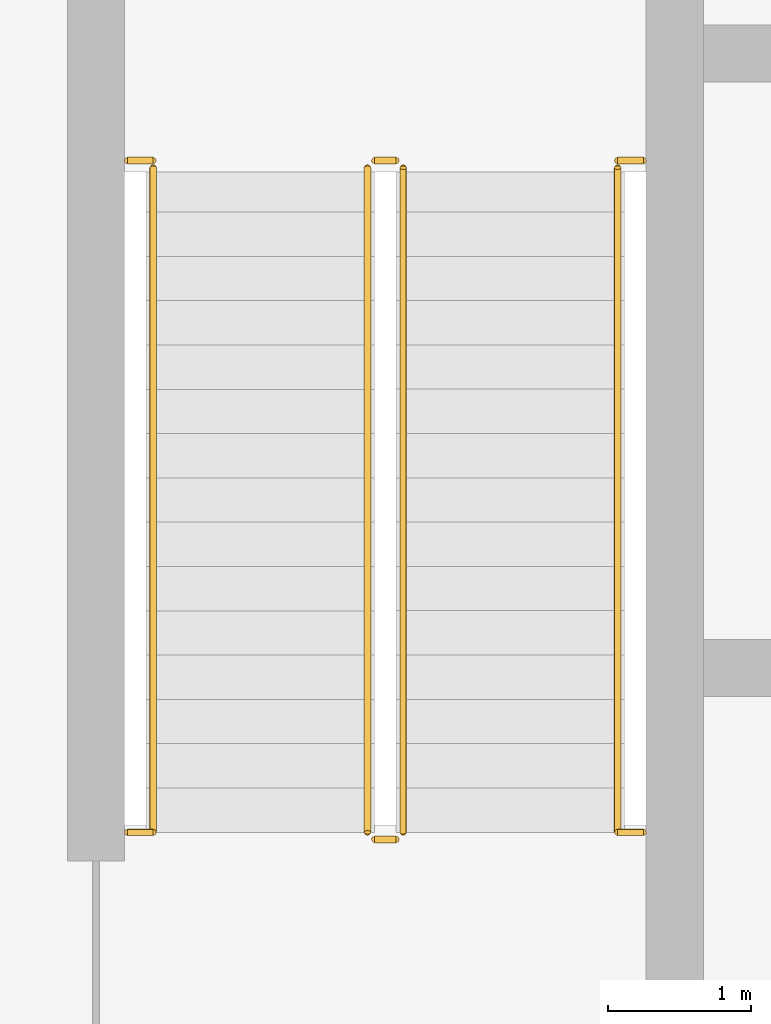
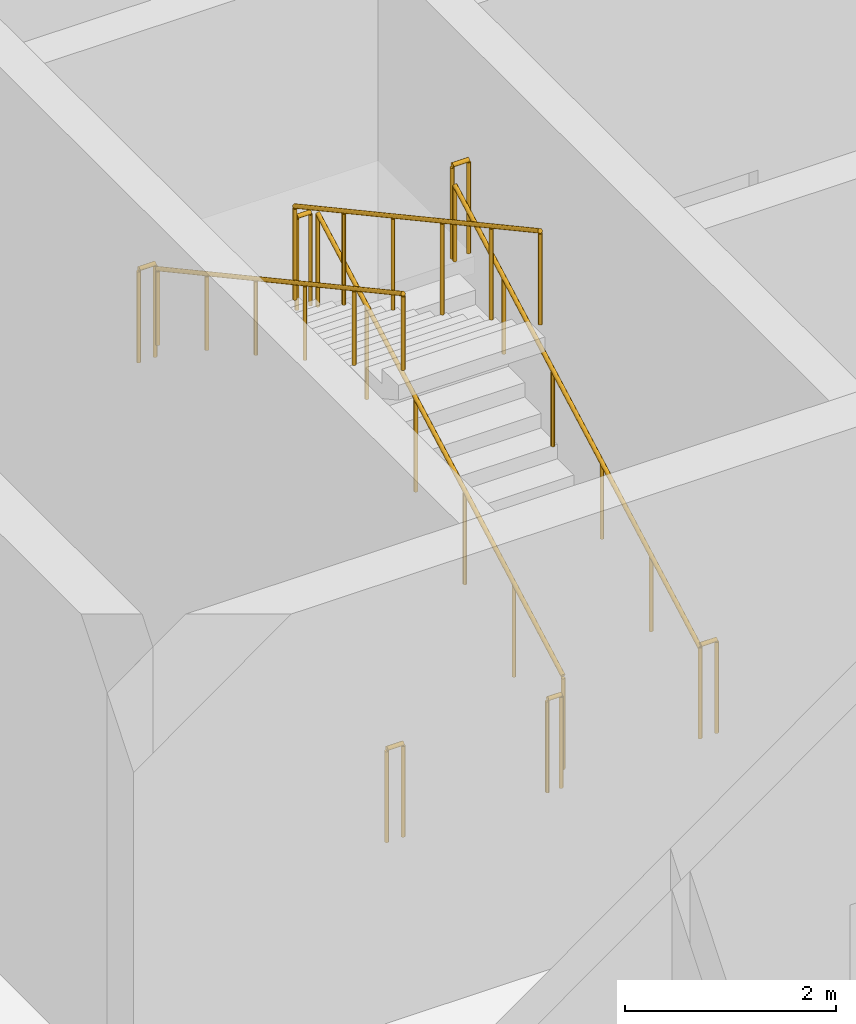
# One storey, part 13 of 15: 10 railings.
"""IFC4 building model written with IfcOpenShell, lengths in metres."""

from ifc_helpers import new_model, si_unit, direction, frame, origin, origin_2d, place, context, subcontext, project, spatial, circle, extrude, material, type_object, element, save


model = new_model("IFC4")

# Units and contexts
model_context = context("Model", 3, precision=1e-05, world=origin(), true_north=direction((0.0, 1.0)))
body_context = subcontext(model_context, "Body", "Model", "MODEL_VIEW")
ifc_project = project(units=[si_unit("LENGTHUNIT", "METRE"), si_unit("AREAUNIT", "SQUARE_METRE"), si_unit("VOLUMEUNIT", "CUBIC_METRE"), si_unit("PLANEANGLEUNIT", "RADIAN"), si_unit("MASSUNIT", "GRAM", prefix="KILO")], contexts=[model_context])

# Site, building, storey
site_placement = place(None, origin())
site = spatial("IfcSite", under=ifc_project, at=site_placement, CompositionType="ELEMENT")
building_placement = place(site_placement, origin())
building = spatial("IfcBuilding", under=site, at=building_placement, Name="Madar Terraces", CompositionType="ELEMENT")
storey_placement = place(building_placement, frame((0.0, 0.0, 286.10009765625)))
storey = spatial("IfcBuildingStorey", under=building, at=storey_placement, Name="L75", CompositionType="ELEMENT", Elevation=286.10009765625)

# Railings
ifc_material_1 = material(Name="Stainless steel railing", Category="steel")
railing_type_1 = type_object("IfcRailingType", Name="Stair guard 1100", PredefinedType="GUARDRAIL", material=ifc_material_1)
railing_1_placement = place(storey_placement, frame((21.199951171875, 17.60009765625, 0.168701171875)))
element("IfcRailing", 1, at=railing_1_placement, inside=storey, type_object=railing_type_1, Name="L75 ST1 stair guard 1", PredefinedType="GUARDRAIL", context=body_context, shape_type="SweptSolid", body=[
    extrude(circle(Radius=0.02392578125, at=origin_2d()), frame((0.0, 0.0, 1.076171875), z_axis=(0.0, 0.878297076953, 0.478115304728), x_axis=(-1.0, 0.0, 0.0)), (0.0, 0.0, 1.0), 5.294189453125),
    extrude(circle(Radius=0.02099609375, at=origin_2d()), origin(), (0.0, 0.0, 1.0), 1.052001953125),
    extrude(circle(Radius=0.02099609375, at=origin_2d()), frame((0.0, 0.929931640625, 0.50634765625)), (0.0, 0.0, 1.0), 1.052001953125),
    extrude(circle(Radius=0.02099609375, at=origin_2d()), frame((0.0, 1.85986328125, 1.012451171875)), (0.0, 0.0, 1.0), 1.052001953125),
    extrude(circle(Radius=0.02099609375, at=origin_2d()), frame((0.0, 2.7900390625, 1.518798828125)), (0.0, 0.0, 1.0), 1.052001953125),
    extrude(circle(Radius=0.02099609375, at=origin_2d()), frame((0.0, 3.719970703125, 2.02490234375)), (0.0, 0.0, 1.0), 1.052001953125),
    extrude(circle(Radius=0.02099609375, at=origin_2d()), frame((0.0, 4.64990234375, 2.53125)), (0.0, 0.0, 1.0), 1.052001953125),
])
railing_2_placement = place(storey_placement, frame((21.14990234375, 22.300048828125, 2.699951171875)))
element("IfcRailing", 2, at=railing_2_placement, inside=storey, type_object=railing_type_1, Name="L75 ST1 stair guard 2", PredefinedType="GUARDRAIL", context=body_context, shape_type="SweptSolid", body=[
    extrude(circle(Radius=0.02392578125, at=origin_2d()), frame((0.0, 0.0, 1.076171875), z_axis=(-1.0, 0.0, 0.0), x_axis=(0.0, -1.0, 0.0)), (0.0, 0.0, 1.0), 0.14990234375),
    extrude(circle(Radius=0.02099609375, at=origin_2d()), origin(), (0.0, 0.0, 1.0), 1.052001953125),
    extrude(circle(Radius=0.02099609375, at=origin_2d()), frame((-0.14990234375, 0.0, 0.0)), (0.0, 0.0, 1.0), 1.052001953125),
])
railing_3_placement = place(storey_placement, frame((20.949951171875, 22.25, 2.86865234375)))
element("IfcRailing", 3, at=railing_3_placement, inside=storey, type_object=railing_type_1, Name="L75 ST1 stair guard 3", PredefinedType="GUARDRAIL", context=body_context, shape_type="SweptSolid", body=[
    extrude(circle(Radius=0.02392578125, at=origin_2d()), frame((0.0, 0.0, 1.076171875), z_axis=(0.0, -0.878297076953, 0.478115304728), x_axis=(1.0, 0.0, 0.0)), (0.0, 0.0, 1.0), 5.294189453125),
    extrude(circle(Radius=0.02099609375, at=origin_2d()), origin(), (0.0, 0.0, 1.0), 1.052001953125),
    extrude(circle(Radius=0.02099609375, at=origin_2d()), frame((0.0, -0.929931640625, 0.50634765625)), (0.0, 0.0, 1.0), 1.052001953125),
    extrude(circle(Radius=0.02099609375, at=origin_2d()), frame((0.0, -1.85986328125, 1.012451171875)), (0.0, 0.0, 1.0), 1.052001953125),
    extrude(circle(Radius=0.02099609375, at=origin_2d()), frame((0.0, -2.7900390625, 1.518798828125)), (0.0, 0.0, 1.0), 1.052001953125),
    extrude(circle(Radius=0.02099609375, at=origin_2d()), frame((0.0, -3.719970703125, 2.02490234375)), (0.0, 0.0, 1.0), 1.052001953125),
    extrude(circle(Radius=0.02099609375, at=origin_2d()), frame((0.0, -4.64990234375, 2.53125)), (0.0, 0.0, 1.0), 1.052001953125),
])
railing_4_placement = place(storey_placement, frame((21.14990234375, 17.550048828125, 0.0)))
element("IfcRailing", 4, at=railing_4_placement, inside=storey, type_object=railing_type_1, Name="L75 ST1 stair guard 4", PredefinedType="GUARDRAIL", context=body_context, shape_type="SweptSolid", body=[
    extrude(circle(Radius=0.02392578125, at=origin_2d()), frame((0.0, 0.0, 1.076171875), z_axis=(-1.0, 0.0, 0.0), x_axis=(0.0, -1.0, 0.0)), (0.0, 0.0, 1.0), 0.14990234375),
    extrude(circle(Radius=0.02099609375, at=origin_2d()), origin(), (0.0, 0.0, 1.0), 1.052001953125),
    extrude(circle(Radius=0.02099609375, at=origin_2d()), frame((-0.14990234375, 0.0, 0.0)), (0.0, 0.0, 1.0), 1.052001953125),
])
for number, where, name in (
    (5, (19.27001953125, 22.300048828125, 2.699951171875), "L75 stair guard seat 1"),
    (6, (22.699951171875, 22.300048828125, 2.699951171875), "L75 stair guard seat 2"),
    (7, (19.27001953125, 17.60009765625, 0.0), "L75 stair guard floor 1"),
    (8, (22.699951171875, 17.60009765625, 0.0), "L75 stair guard floor 2"),
):
    element("IfcRailing", number, at=place(storey_placement, frame(where)), inside=storey, type_object=railing_type_1, Name=name, PredefinedType="GUARDRAIL", context=body_context, shape_type="SweptSolid", body=[
        extrude(circle(Radius=0.02392578125, at=origin_2d()), frame((0.0, 0.0, 1.076171875), z_axis=(1.0, 0.0, 0.0), x_axis=(0.0, 1.0, 0.0)), (0.0, 0.0, 1.0), 0.179931640625),
        extrude(circle(Radius=0.02099609375, at=origin_2d()), origin(), (0.0, 0.0, 1.0), 1.052001953125),
        extrude(circle(Radius=0.02099609375, at=origin_2d()), frame((0.179931640625, 0.0, 0.0)), (0.0, 0.0, 1.0), 1.052001953125),
    ])
ifc_material_2 = material(Name="Stainless steel railing", Category="steel")
railing_type_2 = type_object("IfcRailingType", Name="Stair handrail 900", PredefinedType="HANDRAIL", material=ifc_material_2)
railing_5_placement = place(storey_placement, frame((22.699951171875, 17.60009765625, 0.168701171875)))
element("IfcRailing", 9, at=railing_5_placement, inside=storey, type_object=railing_type_2, Name="L75 ST1 stair handrail 1", PredefinedType="HANDRAIL", context=body_context, shape_type="SweptSolid", body=[
    extrude(circle(Radius=0.02392578125, at=origin_2d()), frame((0.0, 0.0, 0.8759765625), z_axis=(0.0, 0.878297076953, 0.478115304728), x_axis=(-1.0, 0.0, 0.0)), (0.0, 0.0, 1.0), 5.294189453125),
    extrude(circle(Radius=0.02099609375, at=origin_2d()), origin(), (0.0, 0.0, 1.0), 0.851806640625),
    extrude(circle(Radius=0.02099609375, at=origin_2d()), frame((0.0, 0.929931640625, 0.50634765625)), (0.0, 0.0, 1.0), 0.851806640625),
    extrude(circle(Radius=0.02099609375, at=origin_2d()), frame((0.0, 1.85986328125, 1.012451171875)), (0.0, 0.0, 1.0), 0.851806640625),
    extrude(circle(Radius=0.02099609375, at=origin_2d()), frame((0.0, 2.7900390625, 1.518798828125)), (0.0, 0.0, 1.0), 0.851806640625),
    extrude(circle(Radius=0.02099609375, at=origin_2d()), frame((0.0, 3.719970703125, 2.02490234375)), (0.0, 0.0, 1.0), 0.851806640625),
    extrude(circle(Radius=0.02099609375, at=origin_2d()), frame((0.0, 4.64990234375, 2.53125)), (0.0, 0.0, 1.0), 0.851806640625),
])
railing_6_placement = place(storey_placement, frame((19.449951171875, 22.25, 2.86865234375)))
element("IfcRailing", 10, at=railing_6_placement, inside=storey, type_object=railing_type_2, Name="L75 ST1 stair handrail 2", PredefinedType="HANDRAIL", context=body_context, shape_type="SweptSolid", body=[
    extrude(circle(Radius=0.02392578125, at=origin_2d()), frame((0.0, 0.0, 0.8759765625), z_axis=(0.0, -0.878297076953, 0.478115304728), x_axis=(1.0, 0.0, 0.0)), (0.0, 0.0, 1.0), 5.294189453125),
    extrude(circle(Radius=0.02099609375, at=origin_2d()), origin(), (0.0, 0.0, 1.0), 0.851806640625),
    extrude(circle(Radius=0.02099609375, at=origin_2d()), frame((0.0, -0.929931640625, 0.50634765625)), (0.0, 0.0, 1.0), 0.851806640625),
    extrude(circle(Radius=0.02099609375, at=origin_2d()), frame((0.0, -1.85986328125, 1.012451171875)), (0.0, 0.0, 1.0), 0.851806640625),
    extrude(circle(Radius=0.02099609375, at=origin_2d()), frame((0.0, -2.7900390625, 1.518798828125)), (0.0, 0.0, 1.0), 0.851806640625),
    extrude(circle(Radius=0.02099609375, at=origin_2d()), frame((0.0, -3.719970703125, 2.02490234375)), (0.0, 0.0, 1.0), 0.851806640625),
    extrude(circle(Radius=0.02099609375, at=origin_2d()), frame((0.0, -4.64990234375, 2.53125)), (0.0, 0.0, 1.0), 0.851806640625),
])

save(model, "model.ifc")
